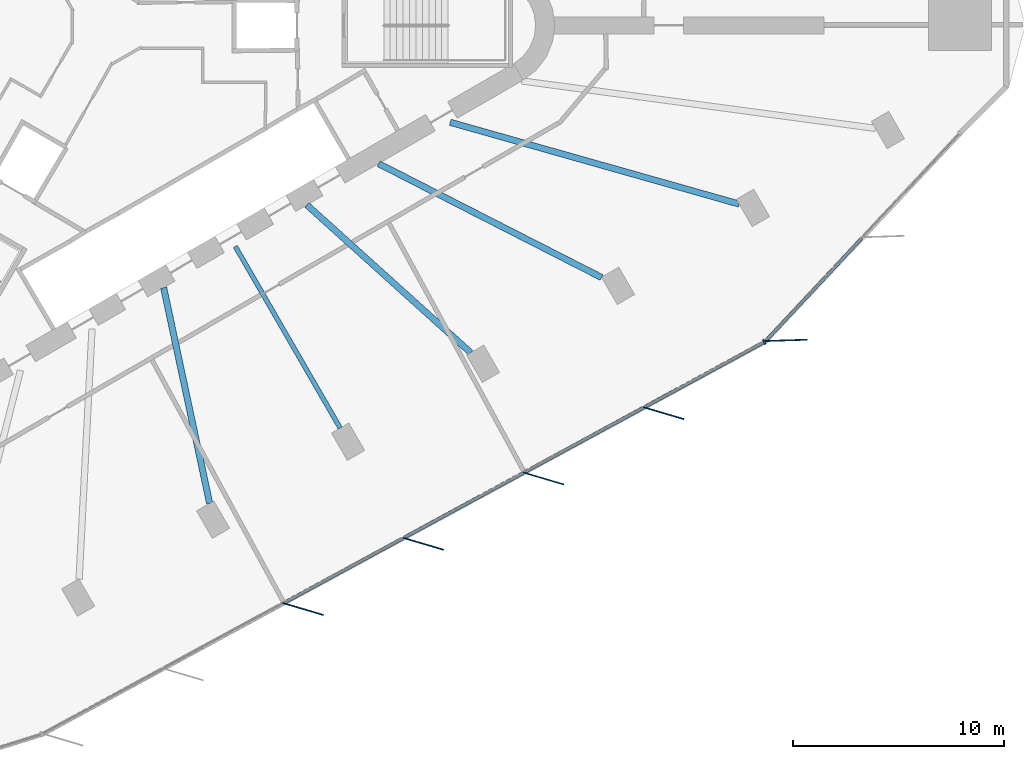
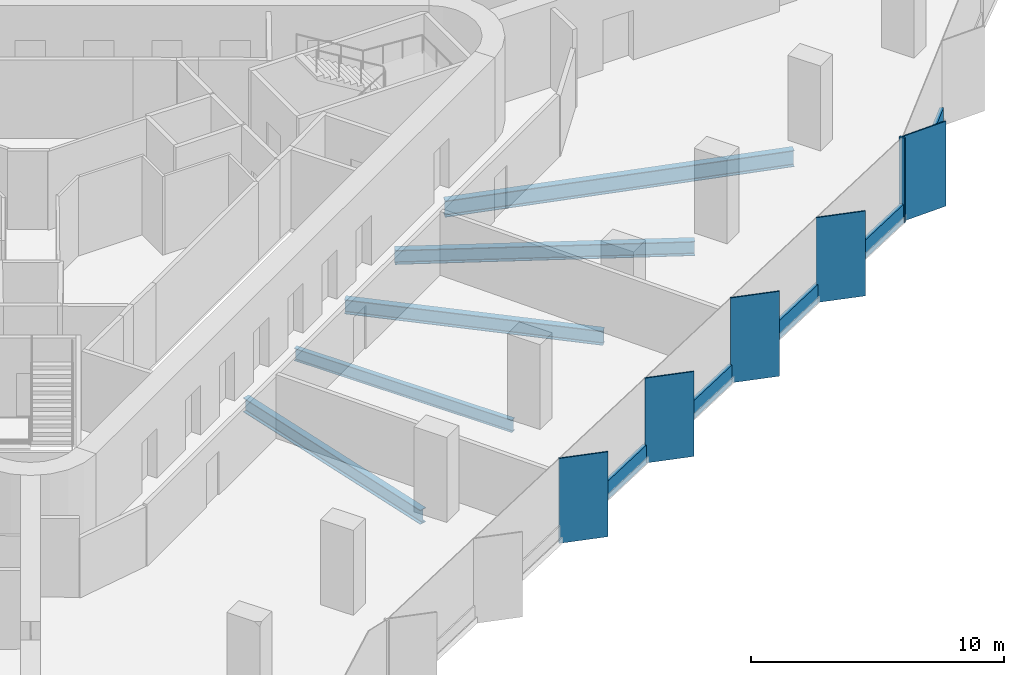
# One storey, part 3 of 14: 11 members, 5 beams, 2 elements without a shape of their own.
"""IFC4 building model written with IfcOpenShell, lengths in metres."""

from ifc_helpers import new_model, si_unit, direction, frame, origin, origin_2d, place, context, subcontext, project, spatial, rectangle, i_section, extrude, material, material_profile, profile_set, type_object, element, aggregate, save


model = new_model("IFC4")

# Units and contexts
model_context = context("Model", 3, precision=1e-05, world=origin(), true_north=direction((0.0, 1.0)))
body_context = subcontext(model_context, "Body", "Model", "MODEL_VIEW")
ifc_project = project(units=[si_unit("LENGTHUNIT", "METRE"), si_unit("AREAUNIT", "SQUARE_METRE"), si_unit("VOLUMEUNIT", "CUBIC_METRE"), si_unit("PLANEANGLEUNIT", "RADIAN"), si_unit("MASSUNIT", "GRAM", prefix="KILO")], contexts=[model_context])

# Site, building, storey
site_placement = place(None, origin())
site = spatial("IfcSite", under=ifc_project, at=site_placement, CompositionType="ELEMENT")
building_placement = place(site_placement, origin())
building = spatial("IfcBuilding", under=site, at=building_placement, Name="Tanit Gate Tower", CompositionType="ELEMENT")
storey_placement = place(building_placement, frame((0.0, 0.0, 127.5)))
storey = spatial("IfcBuildingStorey", under=building, at=storey_placement, Name="L27", CompositionType="ELEMENT", Elevation=127.5)

# Curtain wall, members
ifc_material_1 = material(Name="Aluminium bronze anodised and glass", Category="aluminium")
curtain_wall_type = type_object("IfcCurtainWallType", Name="Curtain wall typical low", PredefinedType="NOTDEFINED", material=ifc_material_1)
curtain_wall_1_placement = place(storey_placement, origin())
curtain_wall_1 = element("IfcCurtainWall", 1, at=curtain_wall_1_placement, inside=storey, type_object=curtain_wall_type, Name="Curtain wall L27 SE2", PredefinedType="NOTDEFINED")
ifc_material_2 = material(Name="Aluminium bronze anodised", Category="aluminium")
ifc_material_profile_1 = material_profile(ifc_material_2, rectangle(XDim=2.0, YDim=0.055908203125, at=origin_2d()), Name="56x2000 bronze fin mullion")
ifc_profile_set_1 = profile_set([ifc_material_profile_1], Name="Aluminium bronze anodised")
member_type_1 = type_object("IfcMemberType", Name="FIN MULLION 56x2000 bronze", PredefinedType="MULLION", material=ifc_profile_set_1)
member_1_placement = place(storey_placement, frame((9.269287109375, -27.681396484375, -0.300048828125), z_axis=(0.0, 0.0, 1.0), x_axis=(-0.958852239174, 0.283905588939, 0.0)))
member_1 = element("IfcMember", 2, at=member_1_placement, type_object=member_type_1, Name="Fin mullion L27 SE2.3", PredefinedType="MULLION", context=body_context, shape_type="SweptSolid", body=[
    extrude(rectangle(XDim=2.0, YDim=0.055908203125, at=origin_2d()), origin(), (0.0, 0.0, 1.0), 4.10009765625),
])
member_2_placement = place(storey_placement, frame((14.970458984375, -24.585205078125, -0.300048828125), z_axis=(0.0, 0.0, 1.0), x_axis=(-0.958852239174, 0.283905588939, 0.0)))
member_2 = element("IfcMember", 3, at=member_2_placement, type_object=member_type_1, Name="Fin mullion L27 SE2.4", PredefinedType="MULLION", context=body_context, shape_type="SweptSolid", body=[
    extrude(rectangle(XDim=2.0, YDim=0.055908203125, at=origin_2d()), origin(), (0.0, 0.0, 1.0), 4.10009765625),
])
member_3_placement = place(storey_placement, frame((20.67138671875, -21.48876953125, -0.300048828125), z_axis=(0.0, 0.0, 1.0), x_axis=(-0.958852239174, 0.283905588939, 0.0)))
member_3 = element("IfcMember", 4, at=member_3_placement, type_object=member_type_1, Name="Fin mullion L27 SE2.5", PredefinedType="MULLION", context=body_context, shape_type="SweptSolid", body=[
    extrude(rectangle(XDim=2.0, YDim=0.055908203125, at=origin_2d()), origin(), (0.0, 0.0, 1.0), 4.10009765625),
])
member_4_placement = place(storey_placement, frame((26.37255859375, -18.392578125, -0.300048828125), z_axis=(0.0, 0.0, 1.0), x_axis=(-0.958852239174, 0.283905588939, 0.0)))
member_4 = element("IfcMember", 5, at=member_4_placement, type_object=member_type_1, Name="Fin mullion L27 SE2.6", PredefinedType="MULLION", context=body_context, shape_type="SweptSolid", body=[
    extrude(rectangle(XDim=2.0, YDim=0.055908203125, at=origin_2d()), origin(), (0.0, 0.0, 1.0), 4.10009765625),
])

# Curtain wall, member
curtain_wall_2_placement = place(storey_placement, origin())
curtain_wall_2 = element("IfcCurtainWall", 6, at=curtain_wall_2_placement, inside=storey, type_object=curtain_wall_type, Name="Curtain wall L27 SE3", PredefinedType="NOTDEFINED")
member_5_placement = place(storey_placement, frame((32.17578125, -14.9384765625, -0.300048828125), z_axis=(0.0, 0.0, 1.0), x_axis=(-0.999463890821, -0.032740356511, 0.0)))
member_5 = element("IfcMember", 7, at=member_5_placement, type_object=member_type_1, Name="Fin mullion L27 SE3.1", PredefinedType="MULLION", context=body_context, shape_type="SweptSolid", body=[
    extrude(rectangle(XDim=2.0, YDim=0.055908203125, at=origin_2d()), origin(), (0.0, 0.0, 1.0), 4.10009765625),
])

# Member
ifc_material_3 = material(Name="Aluminium bronze anodised", Category="aluminium")
ifc_material_profile_2 = material_profile(ifc_material_3, rectangle(XDim=0.239990234375, YDim=0.080078125, at=origin_2d()), Name="80x240 bronze mullion")
ifc_profile_set_2 = profile_set([ifc_material_profile_2], Name="Aluminium bronze anodised")
member_type_2 = type_object("IfcMemberType", Name="Mullion 80x240 typical low", PredefinedType="MULLION", material=ifc_profile_set_2)
member_6_placement = place(storey_placement, frame((31.136474609375, -15.018798828125, -0.300048828125), z_axis=(0.0, 0.0, 1.0), x_axis=(-0.477259353321, 0.878762487631, 0.0)))
member_6 = element("IfcMember", 8, at=member_6_placement, type_object=member_type_2, Name="Mullion L27 SE2.7", PredefinedType="MULLION", context=body_context, shape_type="SweptSolid", body=[
    extrude(rectangle(XDim=0.239990234375, YDim=0.080078125, at=origin_2d()), origin(), (0.0, 0.0, 1.0), 4.10009765625),
])

# Beams
ifc_material_4 = material(Name="Steel S355", Category="steel")
ifc_material_profile_3 = material_profile(ifc_material_4, i_section(OverallWidth=0.300048828125, OverallDepth=0.68994140625, WebThickness=0.014404296875, FlangeThickness=0.027099609375, FilletRadius=0.027099609375, at=origin_2d()), Name="HEA 700")
ifc_profile_set_3 = profile_set([ifc_material_profile_3], Name="Steel S355")
beam_type_1 = type_object("IfcBeamType", Name="RADIAL GIRDER HEA 700 S355", PredefinedType="BEAM", material=ifc_profile_set_3)
beam_1_placement = place(storey_placement, frame((4.83447265625, -22.670166015625, -0.64501953125), z_axis=(-0.208567613374, 0.978007950199, 0.0), x_axis=(-0.978007950199, -0.208567613374, 0.0)))
element("IfcBeam", 9, at=beam_1_placement, inside=storey, type_object=beam_type_1, Name="RADIAL GIRDER", PredefinedType="BEAM", context=body_context, shape_type="SweptSolid", body=[
    extrude(i_section(OverallWidth=0.300048828125, OverallDepth=0.68994140625, WebThickness=0.014404296875, FlangeThickness=0.027099609375, FilletRadius=0.027099609375, at=origin_2d()), origin(), (0.0, 0.0, 1.0), 10.457763671875),
])
beam_2_placement = place(storey_placement, frame((17.2158203125, -15.52197265625, -0.64501953125), z_axis=(-0.742697199344, 0.669627411391, 0.0), x_axis=(-0.669627411391, -0.742697199344, 0.0)))
element("IfcBeam", 10, at=beam_2_placement, inside=storey, type_object=beam_type_1, Name="RADIAL GIRDER", PredefinedType="BEAM", context=body_context, shape_type="SweptSolid", body=[
    extrude(i_section(OverallWidth=0.300048828125, OverallDepth=0.68994140625, WebThickness=0.014404296875, FlangeThickness=0.027099609375, FilletRadius=0.027099609375, at=origin_2d()), origin(), (0.0, 0.0, 1.0), 10.4580078125),
])
beam_3_placement = place(storey_placement, frame((23.4248046875, -11.95703125, -0.64501953125), z_axis=(-0.890679829273, 0.454631105101, 0.0), x_axis=(-0.454631105101, -0.890679829273, 0.0)))
element("IfcBeam", 11, at=beam_3_placement, inside=storey, type_object=beam_type_1, Name="RADIAL GIRDER", PredefinedType="BEAM", context=body_context, shape_type="SweptSolid", body=[
    extrude(i_section(OverallWidth=0.300048828125, OverallDepth=0.68994140625, WebThickness=0.014404296875, FlangeThickness=0.027099609375, FilletRadius=0.027099609375, at=origin_2d()), origin(), (0.0, 0.0, 1.0), 11.876953125),
])
ifc_material_5 = material(Name="Steel S355", Category="steel")
ifc_material_profile_4 = material_profile(ifc_material_5, i_section(OverallWidth=0.300048828125, OverallDepth=0.7900390625, WebThickness=0.014892578125, FlangeThickness=0.028076171875, FilletRadius=0.030029296875, at=origin_2d()), Name="HEA 800")
ifc_profile_set_4 = profile_set([ifc_material_profile_4], Name="Steel S355")
beam_type_2 = type_object("IfcBeamType", Name="RADIAL GIRDER HEA 800 S355", PredefinedType="BEAM", material=ifc_profile_set_4)
beam_4_placement = place(storey_placement, frame((29.947998046875, -8.472900390625, -0.695068359375), z_axis=(-0.962230365489, 0.272236521669, 0.0), x_axis=(-0.272236521669, -0.962230365489, 0.0)))
element("IfcBeam", 12, at=beam_4_placement, inside=storey, type_object=beam_type_2, Name="RADIAL GIRDER", PredefinedType="BEAM", context=body_context, shape_type="SweptSolid", body=[
    extrude(i_section(OverallWidth=0.300048828125, OverallDepth=0.7900390625, WebThickness=0.014892578125, FlangeThickness=0.028076171875, FilletRadius=0.030029296875, at=origin_2d()), origin(), (0.0, 0.0, 1.0), 14.241943359375),
])
ifc_material_6 = material(Name="Steel S355", Category="steel")
ifc_material_profile_5 = material_profile(ifc_material_6, i_section(OverallWidth=0.219970703125, OverallDepth=0.60009765625, WebThickness=0.011962890625, FlangeThickness=0.01904296875, FilletRadius=0.02392578125, at=origin_2d()), Name="IPE 600")
ifc_profile_set_5 = profile_set([ifc_material_profile_5], Name="Steel S355")
beam_type_3 = type_object("IfcBeamType", Name="RADIAL GIRDER IPE 600 S355", PredefinedType="BEAM", material=ifc_profile_set_5)
beam_5_placement = place(storey_placement, frame((11.025146484375, -19.095947265625, -0.60009765625), z_axis=(-0.500008534912, 0.866020476095, 0.0), x_axis=(-0.866020476095, -0.500008534912, 0.0)))
element("IfcBeam", 13, at=beam_5_placement, inside=storey, type_object=beam_type_3, Name="RADIAL GIRDER", PredefinedType="BEAM", context=body_context, shape_type="SweptSolid", body=[
    extrude(i_section(OverallWidth=0.219970703125, OverallDepth=0.60009765625, WebThickness=0.011962890625, FlangeThickness=0.01904296875, FilletRadius=0.02392578125, at=origin_2d()), origin(), (0.0, 0.0, 1.0), 9.947998046875),
])

# Member
ifc_material_7 = material(Name="Aluminium bronze anodised", Category="aluminium")
ifc_material_profile_6 = material_profile(ifc_material_7, rectangle(XDim=0.159912109375, YDim=0.89990234375, at=origin_2d()), Name="160x900 bronze transom")
ifc_profile_set_6 = profile_set([ifc_material_profile_6], Name="Aluminium bronze anodised")
member_type_3 = type_object("IfcMemberType", Name="Transom 160x900 typical low", PredefinedType="USERDEFINED", material=ifc_profile_set_6)
member_7_placement = place(storey_placement, frame((8.3671875, -27.384765625, 0.14990234375), z_axis=(0.878764866194, 0.477254973723, 0.0), x_axis=(-0.477254973723, 0.878764866194, 0.0)))
member_7 = element("IfcMember", 14, at=member_7_placement, type_object=member_type_3, Name="Transom L27 SE2.3", ObjectType="TRANSOM", PredefinedType="USERDEFINED", context=body_context, shape_type="SweptSolid", body=[
    extrude(rectangle(XDim=0.159912109375, YDim=0.89990234375, at=origin_2d()), origin(), (0.0, 0.0, 1.0), 6.40771484375),
])

member_8_placement = place(storey_placement, frame((14.068359375, -24.28857421875, 0.14990234375), z_axis=(0.878764866194, 0.477254973723, 0.0), x_axis=(-0.477254973723, 0.878764866194, 0.0)))
member_8 = element("IfcMember", 15, at=member_8_placement, type_object=member_type_3, Name="Transom L27 SE2.4", ObjectType="TRANSOM", PredefinedType="USERDEFINED", context=body_context, shape_type="SweptSolid", body=[
    extrude(rectangle(XDim=0.159912109375, YDim=0.89990234375, at=origin_2d()), origin(), (0.0, 0.0, 1.0), 6.40771484375),
])

member_9_placement = place(storey_placement, frame((19.76953125, -21.192138671875, 0.14990234375), z_axis=(0.878772167509, 0.477241529638, 0.0), x_axis=(-0.477241529638, 0.878772167509, 0.0)))
member_9 = element("IfcMember", 16, at=member_9_placement, type_object=member_type_3, Name="Transom L27 SE2.5", ObjectType="TRANSOM", PredefinedType="USERDEFINED", context=body_context, shape_type="SweptSolid", body=[
    extrude(rectangle(XDim=0.159912109375, YDim=0.89990234375, at=origin_2d()), origin(), (0.0, 0.0, 1.0), 6.407470703125),
])

member_10_placement = place(storey_placement, frame((25.470458984375, -18.095947265625, 0.14990234375), z_axis=(0.878764866194, 0.477254973723, 0.0), x_axis=(-0.477254973723, 0.878764866194, 0.0)))
member_10 = element("IfcMember", 17, at=member_10_placement, type_object=member_type_3, Name="Transom L27 SE2.6", ObjectType="TRANSOM", PredefinedType="USERDEFINED", context=body_context, shape_type="SweptSolid", body=[
    extrude(rectangle(XDim=0.159912109375, YDim=0.89990234375, at=origin_2d()), origin(), (0.0, 0.0, 1.0), 6.40771484375),
])

aggregate(curtain_wall_1, [member_1, member_2, member_3, member_4, member_6, member_7, member_8, member_9, member_10])

member_11_placement = place(storey_placement, frame((31.226318359375, -14.94140625, 0.14990234375), z_axis=(0.683569579282, 0.729885354203, 0.0), x_axis=(-0.729885354203, 0.683569579282, 0.0)))
member_11 = element("IfcMember", 18, at=member_11_placement, type_object=member_type_3, Name="Transom L27 SE3.1", ObjectType="TRANSOM", PredefinedType="USERDEFINED", context=body_context, shape_type="SweptSolid", body=[
    extrude(rectangle(XDim=0.159912109375, YDim=0.89990234375, at=origin_2d()), origin(), (0.0, 0.0, 1.0), 6.668212890625),
])

aggregate(curtain_wall_2, [member_5, member_11])

save(model, "model.ifc")
